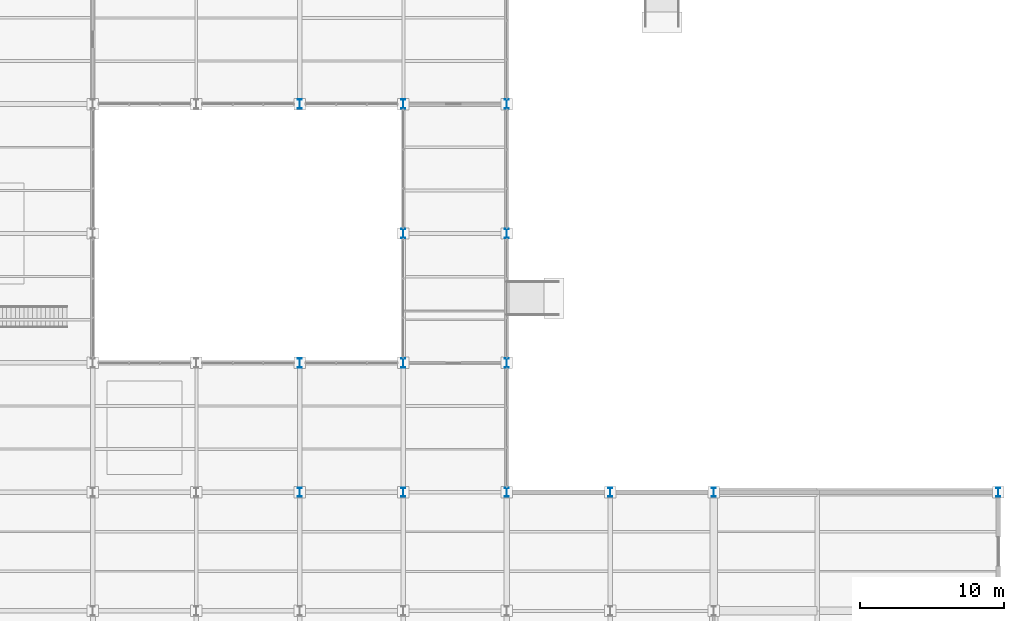
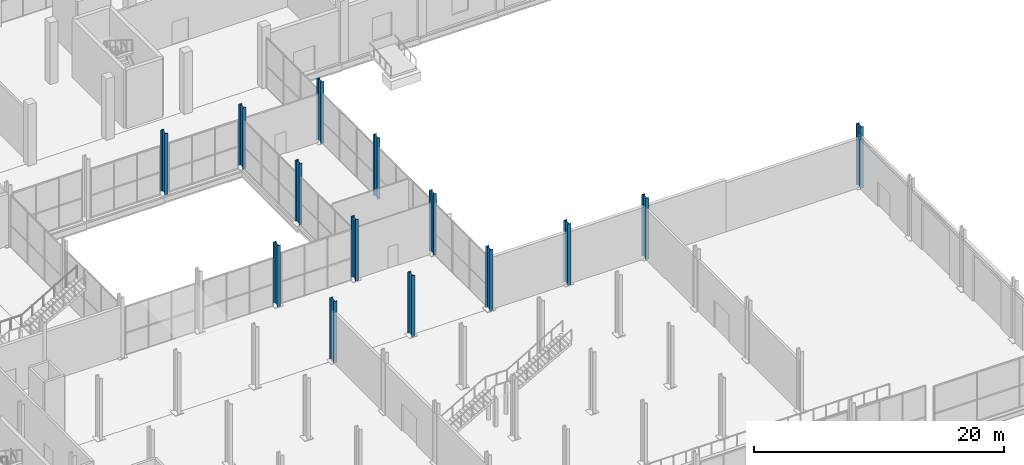
# One storey, part 13 of 144: 14 columns.
"""IFC4 building model written with IfcOpenShell, lengths in metres."""

from ifc_helpers import new_model, si_unit, direction, frame, origin, origin_2d, place, context, subcontext, project, spatial, i_section, extrude, material, material_profile, profile_set, type_object, element, save


model = new_model("IFC4")

# Units and contexts
model_context = context("Model", 3, precision=1e-05, world=origin(), true_north=direction((0.0, 1.0)))
body_context = subcontext(model_context, "Body", "Model", "MODEL_VIEW")
ifc_project = project(units=[si_unit("LENGTHUNIT", "METRE"), si_unit("AREAUNIT", "SQUARE_METRE"), si_unit("VOLUMEUNIT", "CUBIC_METRE"), si_unit("PLANEANGLEUNIT", "RADIAN"), si_unit("MASSUNIT", "GRAM", prefix="KILO")], contexts=[model_context])

# Site, building, storey
site_placement = place(None, origin())
site = spatial("IfcSite", under=ifc_project, at=site_placement, CompositionType="ELEMENT")
building_placement = place(site_placement, origin())
building = spatial("IfcBuilding", under=site, at=building_placement, Name="Sundgate Opera House", CompositionType="ELEMENT")
storey_placement = place(building_placement, origin())
storey = spatial("IfcBuildingStorey", under=building, at=storey_placement, Name="L00", CompositionType="ELEMENT", Elevation=0.0)

# Columns
ifc_material = material(Name="Steel S355J2", Category="steel")
ifc_material_profile = material_profile(ifc_material, i_section(OverallWidth=0.300048828125, OverallDepth=0.64990234375, WebThickness=0.01611328125, FlangeThickness=0.031005859375, at=origin_2d()), Name="HEB 650")
ifc_profile_set = profile_set([ifc_material_profile], Name="Steel S355J2")
column_type = type_object("IfcColumnType", Name="CL-STL-650", PredefinedType="COLUMN", material=ifc_profile_set)
for number, where, z_axis, x_axis, name in (
    (1, (131.39990234375, 33.0, 0.0), (0.0, 0.0, 1.0), (1.0, 0.0, 0.0), "L00 Column C0960"),
    (2, (131.39990234375, 42.0, 0.0), (0.0, 0.0, 1.0), (1.0, 0.0, 0.0), "L00 Column C0964"),
    (3, (131.39990234375, 60.0, 0.0), (0.0, 0.0, 1.0), (1.0, 0.0, 0.0), "L00 Column C0968"),
    (4, (138.60009765625, 33.0, 0.0), (0.0, 0.0, 1.0), (1.0, 0.0, 0.0), "L00 Column C1010"),
    (5, (138.60009765625, 42.0, 0.0), (0.0, 0.0, 1.0), (1.0, 0.0, 0.0), "L00 Column C1014"),
    (6, (138.60009765625, 51.0, 0.0), (0.0, 0.0, 1.0), (1.0, 0.0, 0.0), "L00 Column C1018"),
    (7, (138.60009765625, 60.0, 0.0), (0.0, 0.0, 1.0), (1.0, 0.0, 0.0), "L00 Column C1022"),
    (8, (145.800048828125, 33.0, 0.0), (0.0, 0.0, 1.0), (1.0, 0.0, 0.0), "L00 Column C1064"),
    (9, (145.800048828125, 42.0, 0.0), (0.0, 0.0, 1.0), (1.0, 0.0, 0.0), "L00 Column C1068"),
    (10, (145.800048828125, 51.0, 0.0), (0.0, 0.0, 1.0), (1.0, 0.0, 0.0), "L00 Column C1072"),
    (11, (145.800048828125, 60.0, 0.0), (0.0, 0.0, 1.0), (1.0, 0.0, 0.0), "L00 Column C1076"),
    (12, (153.0, 33.0, 0.0), (0.0, 0.0, 1.0), (1.0, 0.0, 0.0), "L00 Column C1119"),
    (13, (160.199951171875, 33.0, 0.0), (0.0, 0.0, 1.0), (1.0, 0.0, 0.0), "L00 Column C1162"),
    (14, (180.0, 33.0, 0.0), (0.0, 0.0, 1.0), (1.0, 0.0, 0.0), "L00 Column C1234"),
):
    element("IfcColumn", number, at=place(storey_placement, frame(where, z_axis=z_axis, x_axis=x_axis)), inside=storey, type_object=column_type, Name=name, PredefinedType="COLUMN", context=body_context, shape_type="SweptSolid", body=[
        extrude(i_section(OverallWidth=0.300048828125, OverallDepth=0.64990234375, WebThickness=0.01611328125, FlangeThickness=0.031005859375, at=origin_2d()), origin(), (0.0, 0.0, 1.0), 6.0),
    ])

save(model, "model.ifc")
